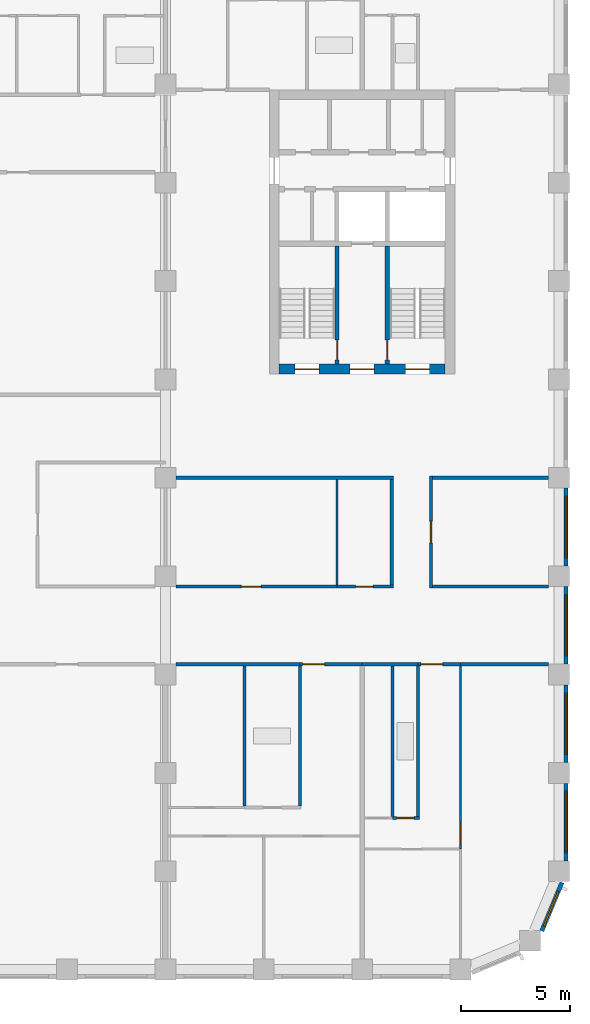
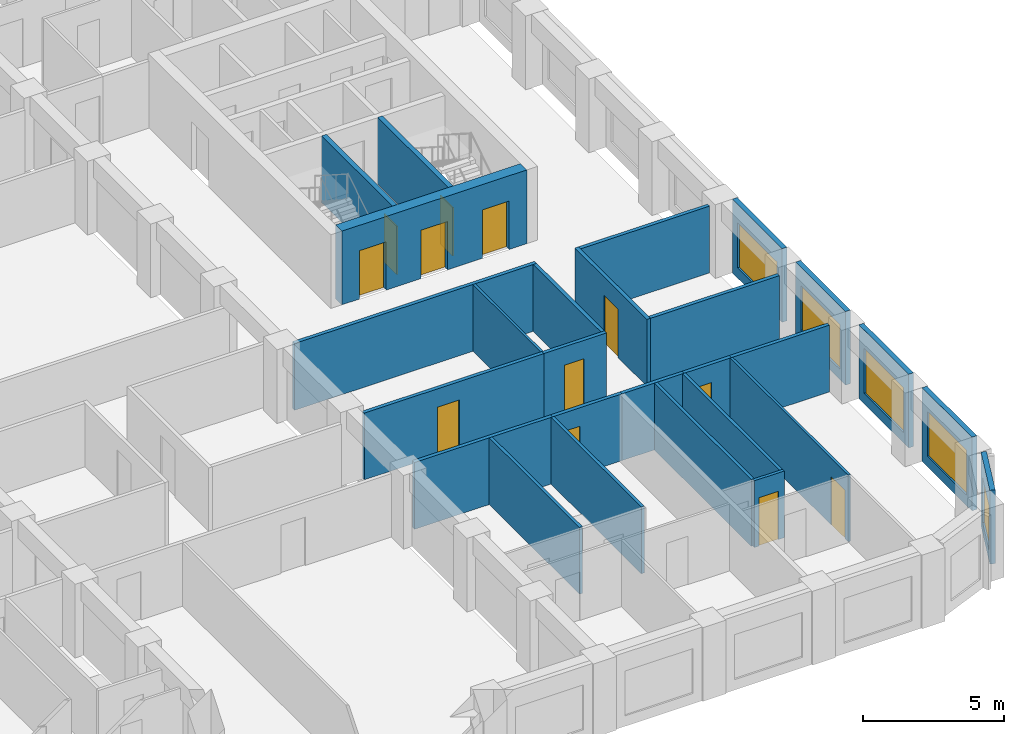
# One storey, part 5 of 13: 27 walls, 12 doors, 5 windows, 17 openings.
"""IFC4 building model written with IfcOpenShell, lengths in metres."""

from ifc_helpers import new_model, si_unit, direction, frame, frame_2d, origin, place, context, subcontext, project, spatial, rectangle, extrude, material, layer, layer_set, type_object, element, fill, save


model = new_model("IFC4")

# Units and contexts
model_context = context("Model", 3, precision=1e-05, world=origin(), true_north=direction((0.0, 1.0)))
body_context = subcontext(model_context, "Body", "Model", "MODEL_VIEW")
ifc_project = project(units=[si_unit("LENGTHUNIT", "METRE"), si_unit("AREAUNIT", "SQUARE_METRE"), si_unit("VOLUMEUNIT", "CUBIC_METRE"), si_unit("PLANEANGLEUNIT", "RADIAN"), si_unit("MASSUNIT", "GRAM", prefix="KILO")], contexts=[model_context])

# Site, building, storey
site_placement = place(None, origin())
site = spatial("IfcSite", under=ifc_project, at=site_placement, CompositionType="ELEMENT")
building_placement = place(site_placement, origin())
building = spatial("IfcBuilding", under=site, at=building_placement, Name="Girih Gate Residences", CompositionType="ELEMENT")
storey_placement = place(building_placement, frame((0.0, 0.0, 133.39990234375)))
storey = spatial("IfcBuildingStorey", under=building, at=storey_placement, Name="L37", CompositionType="ELEMENT", Elevation=133.39990234375)

# Wall, opening, door
ifc_material_1 = material(Name="Gypsum board on steel studs", Category="steel")
ifc_layer_1 = layer(ifc_material_1, 0.14990234375)
ifc_layer_set_1 = layer_set([ifc_layer_1], Name="Compartment wall 150 mm")
wall_type_1 = type_object("IfcWallType", Name="Compartment wall 150 mm", PredefinedType="PARTITIONING", material=ifc_layer_set_1)
wall_1_placement = place(storey_placement, frame((45.0, 13.97509765625, 0.0), z_axis=(0.0, 0.0, 1.0), x_axis=(-1.0, 0.0, 0.0)))
wall_1 = element("IfcWall", 1, at=wall_1_placement, inside=storey, type_object=wall_type_1, Name="L37 partition", PredefinedType="PARTITIONING", context=body_context, shape_type="SweptSolid", body=[
    extrude(rectangle(XDim=1.949951171875, YDim=0.14990234375, at=frame_2d((0.97509765625, 0.0))), origin(), (0.0, 0.0, 1.0), 2.900146484375),
])
opening_1_placement = place(wall_1_placement, frame((0.820068359375, 0.0, 0.0)))
opening_1 = element("IfcOpeningElement", 2, at=opening_1_placement, cuts=wall_1, Name="Opening A37-021", PredefinedType="OPENING", context=body_context, shape_type="SweptSolid", body=[
    extrude(rectangle(XDim=1.0, YDim=2.10009765625, at=frame_2d((0.5, 1.050048828125))), frame((0.0, 0.0849609375, 0.0), z_axis=(0.0, -1.0, 0.0), x_axis=(1.0, 0.0, 0.0)), (0.0, 0.0, 1.0), 0.169921875),
])
ifc_material_2 = material(Name="Timber, fire-rated core", Category="wood")
door_type_1 = type_object("IfcDoorType", Name="Flat entrance door 1000x2100 FD30S", OperationType="NOTDEFINED", PredefinedType="DOOR", material=ifc_material_2)
door_1_placement = place(opening_1_placement, origin())
door_1 = element("IfcDoor", 3, at=door_1_placement, inside=storey, type_object=door_type_1, Name="Door A37-021", OperationType="SINGLE_SWING_RIGHT", OverallHeight=2.10009765625, OverallWidth=1.0, PredefinedType="DOOR", context=body_context, shape_type="SweptSolid", body=[
    extrude(rectangle(XDim=1.0, YDim=2.10009765625, at=frame_2d((0.5, 1.050048828125))), frame((0.0, 0.02490234375, 0.0), z_axis=(0.0, -1.0, 0.0), x_axis=(1.0, 0.0, 0.0)), (0.0, 0.0, 1.0), 0.050048828125),
])
fill(opening_1, door_1)

# Walls
wall_2_placement = place(storey_placement, frame((40.5, 13.97509765625, 0.0), z_axis=(0.0, 0.0, 1.0), x_axis=(1.0, 0.0, 0.0)))
element("IfcWall", 4, at=wall_2_placement, inside=storey, type_object=wall_type_1, Name="L37 partition", PredefinedType="PARTITIONING", context=body_context, shape_type="SweptSolid", body=[
    extrude(rectangle(XDim=2.550048828125, YDim=0.14990234375, at=frame_2d((1.27490234375, 0.0))), origin(), (0.0, 0.0, 1.0), 2.900146484375),
])
wall_3_placement = place(storey_placement, frame((45.0, 13.97509765625, 0.0), z_axis=(0.0, 0.0, 1.0), x_axis=(1.0, 0.0, 0.0)))
element("IfcWall", 5, at=wall_3_placement, inside=storey, type_object=wall_type_1, Name="L37 partition", PredefinedType="PARTITIONING", context=body_context, shape_type="SweptSolid", body=[
    extrude(rectangle(XDim=4.02490234375, YDim=0.14990234375, at=frame_2d((2.012451171875, 0.0))), origin(), (0.0, 0.0, 1.0), 2.900146484375),
])

# Wall, opening, door
wall_4_placement = place(storey_placement, frame((40.5, 13.97509765625, 0.0), z_axis=(0.0, 0.0, 1.0), x_axis=(-1.0, 0.0, 0.0)))
wall_4 = element("IfcWall", 6, at=wall_4_placement, inside=storey, type_object=wall_type_1, Name="L37 partition", PredefinedType="PARTITIONING", context=body_context, shape_type="SweptSolid", body=[
    extrude(rectangle(XDim=2.85009765625, YDim=0.14990234375, at=frame_2d((1.425048828125, 0.0))), origin(), (0.0, 0.0, 1.0), 2.900146484375),
])
opening_2_placement = place(wall_4_placement, frame((1.719970703125, 0.0, 0.0)))
opening_2 = element("IfcOpeningElement", 7, at=opening_2_placement, cuts=wall_4, Name="Opening A37-026", PredefinedType="OPENING", context=body_context, shape_type="SweptSolid", body=[
    extrude(rectangle(XDim=1.0, YDim=2.10009765625, at=frame_2d((0.5, 1.050048828125))), frame((0.0, 0.0849609375, 0.0), z_axis=(0.0, -1.0, 0.0), x_axis=(1.0, 0.0, 0.0)), (0.0, 0.0, 1.0), 0.169921875),
])
door_2_placement = place(opening_2_placement, origin())
door_2 = element("IfcDoor", 8, at=door_2_placement, inside=storey, type_object=door_type_1, Name="Door A37-026", OperationType="SINGLE_SWING_RIGHT", OverallHeight=2.10009765625, OverallWidth=1.0, PredefinedType="DOOR", context=body_context, shape_type="SweptSolid", body=[
    extrude(rectangle(XDim=1.0, YDim=2.10009765625, at=frame_2d((0.5, 1.050048828125))), frame((0.0, 0.02490234375, 0.0), z_axis=(0.0, -1.0, 0.0), x_axis=(1.0, 0.0, 0.0)), (0.0, 0.0, 1.0), 0.050048828125),
])
fill(opening_2, door_2)

# Wall
wall_5_placement = place(storey_placement, frame((31.97509765625, 13.97509765625, 0.0), z_axis=(0.0, 0.0, 1.0), x_axis=(1.0, 0.0, 0.0)))
element("IfcWall", 9, at=wall_5_placement, inside=storey, type_object=wall_type_1, Name="L37 partition", PredefinedType="PARTITIONING", context=body_context, shape_type="SweptSolid", body=[
    extrude(rectangle(XDim=5.6748046875, YDim=0.14990234375, at=frame_2d((2.83740234375, 0.0))), origin(), (0.0, 0.0, 1.0), 2.900146484375),
])

# Wall, opening, door
wall_6_placement = place(storey_placement, frame((31.97509765625, 17.52490234375, 0.0), z_axis=(0.0, 0.0, 1.0), x_axis=(1.0, 0.0, 0.0)))
wall_6 = element("IfcWall", 10, at=wall_6_placement, inside=storey, type_object=wall_type_1, Name="L37 partition", PredefinedType="PARTITIONING", context=body_context, shape_type="SweptSolid", body=[
    extrude(rectangle(XDim=7.375, YDim=0.14990234375, at=frame_2d((3.6875, 0.0))), origin(), (0.0, 0.0, 1.0), 2.900146484375),
])
opening_3_placement = place(wall_6_placement, frame((3.0, 0.0, 0.0)))
opening_3 = element("IfcOpeningElement", 11, at=opening_3_placement, cuts=wall_6, Name="Opening A37-053", PredefinedType="OPENING", context=body_context, shape_type="SweptSolid", body=[
    extrude(rectangle(XDim=0.89990234375, YDim=2.10009765625, at=frame_2d((0.449951171875, 1.050048828125))), frame((0.0, 0.0849609375, 0.0), z_axis=(0.0, -1.0, 0.0), x_axis=(1.0, 0.0, 0.0)), (0.0, 0.0, 1.0), 0.169921875),
])
ifc_material_3 = material(Name="Timber", Category="wood")
door_type_2 = type_object("IfcDoorType", Name="Service room door 900x2100", OperationType="NOTDEFINED", PredefinedType="DOOR", material=ifc_material_3)
door_3_placement = place(opening_3_placement, origin())
door_3 = element("IfcDoor", 12, at=door_3_placement, inside=storey, type_object=door_type_2, Name="Door A37-053", OperationType="SINGLE_SWING_LEFT", OverallHeight=2.10009765625, OverallWidth=0.89990234375, PredefinedType="DOOR", context=body_context, shape_type="SweptSolid", body=[
    extrude(rectangle(XDim=0.89990234375, YDim=2.10009765625, at=frame_2d((0.449951171875, 1.050048828125))), frame((0.0, 0.02490234375, 0.0), z_axis=(0.0, -1.0, 0.0), x_axis=(1.0, 0.0, 0.0)), (0.0, 0.0, 1.0), 0.050048828125),
])
fill(opening_3, door_3)

wall_7_placement = place(storey_placement, frame((39.35009765625, 17.52490234375, 0.0), z_axis=(0.0, 0.0, 1.0), x_axis=(1.0, 0.0, 0.0)))
wall_7 = element("IfcWall", 13, at=wall_7_placement, inside=storey, type_object=wall_type_1, Name="L37 partition", PredefinedType="PARTITIONING", context=body_context, shape_type="SweptSolid", body=[
    extrude(rectangle(XDim=2.574951171875, YDim=0.14990234375, at=frame_2d((1.28759765625, 0.0))), origin(), (0.0, 0.0, 1.0), 2.900146484375),
])
opening_4_placement = place(wall_7_placement, frame((0.85009765625, 0.0, 0.0)))
opening_4 = element("IfcOpeningElement", 14, at=opening_4_placement, cuts=wall_7, Name="Opening A37-055", PredefinedType="OPENING", context=body_context, shape_type="SweptSolid", body=[
    extrude(rectangle(XDim=0.800048828125, YDim=2.10009765625, at=frame_2d((0.39990234375, 1.050048828125))), frame((0.0, 0.0849609375, 0.0), z_axis=(0.0, -1.0, 0.0), x_axis=(1.0, 0.0, 0.0)), (0.0, 0.0, 1.0), 0.169921875),
])
door_type_3 = type_object("IfcDoorType", Name="Bathroom door 800x2100", OperationType="NOTDEFINED", PredefinedType="DOOR", material=ifc_material_3)
door_4_placement = place(opening_4_placement, origin())
door_4 = element("IfcDoor", 15, at=door_4_placement, inside=storey, type_object=door_type_3, Name="Door A37-055", OperationType="SINGLE_SWING_LEFT", OverallHeight=2.10009765625, OverallWidth=0.800048828125, PredefinedType="DOOR", context=body_context, shape_type="SweptSolid", body=[
    extrude(rectangle(XDim=0.800048828125, YDim=2.10009765625, at=frame_2d((0.39990234375, 1.050048828125))), frame((0.0, 0.02490234375, 0.0), z_axis=(0.0, -1.0, 0.0), x_axis=(1.0, 0.0, 0.0)), (0.0, 0.0, 1.0), 0.050048828125),
])
fill(opening_4, door_4)

# Walls
wall_8_placement = place(storey_placement, frame((43.72509765625, 17.52490234375, 0.0), z_axis=(0.0, 0.0, 1.0), x_axis=(1.0, 0.0, 0.0)))
element("IfcWall", 16, at=wall_8_placement, inside=storey, type_object=wall_type_1, Name="L37 partition", PredefinedType="PARTITIONING", context=body_context, shape_type="SweptSolid", body=[
    extrude(rectangle(XDim=5.2998046875, YDim=0.14990234375, at=frame_2d((2.64990234375, 0.0))), origin(), (0.0, 0.0, 1.0), 2.900146484375),
])
wall_9_placement = place(storey_placement, frame((31.97509765625, 22.5, 0.0), z_axis=(0.0, 0.0, 1.0), x_axis=(1.0, 0.0, 0.0)))
element("IfcWall", 17, at=wall_9_placement, inside=storey, type_object=wall_type_1, Name="L37 partition", PredefinedType="PARTITIONING", context=body_context, shape_type="SweptSolid", body=[
    extrude(rectangle(XDim=9.949951171875, YDim=0.14990234375, at=frame_2d((4.97509765625, 0.0))), origin(), (0.0, 0.0, 1.0), 2.900146484375),
])
wall_10_placement = place(storey_placement, frame((43.72509765625, 22.5, 0.0), z_axis=(0.0, 0.0, 1.0), x_axis=(1.0, 0.0, 0.0)))
element("IfcWall", 18, at=wall_10_placement, inside=storey, type_object=wall_type_1, Name="L37 partition", PredefinedType="PARTITIONING", context=body_context, shape_type="SweptSolid", body=[
    extrude(rectangle(XDim=5.2998046875, YDim=0.14990234375, at=frame_2d((2.64990234375, 0.0))), origin(), (0.0, 0.0, 1.0), 2.900146484375),
])
wall_11_placement = place(storey_placement, frame((41.85009765625, 17.60009765625, 0.0), z_axis=(0.0, 0.0, 1.0), x_axis=(0.0, 1.0, 0.0)))
element("IfcWall", 19, at=wall_11_placement, inside=storey, type_object=wall_type_1, Name="L37 partition", PredefinedType="PARTITIONING", context=body_context, shape_type="SweptSolid", body=[
    extrude(rectangle(XDim=4.824951171875, YDim=0.14990234375, at=frame_2d((2.41259765625, 0.0))), origin(), (0.0, 0.0, 1.0), 2.900146484375),
])

# Wall, opening, door
wall_12_placement = place(storey_placement, frame((43.64990234375, 22.574951171875, 0.0), z_axis=(0.0, 0.0, 1.0), x_axis=(0.0, -1.0, 0.0)))
wall_12 = element("IfcWall", 20, at=wall_12_placement, inside=storey, type_object=wall_type_1, Name="L37 partition", PredefinedType="PARTITIONING", context=body_context, shape_type="SweptSolid", body=[
    extrude(rectangle(XDim=5.125, YDim=0.14990234375, at=frame_2d((2.5625, 0.0))), origin(), (0.0, 0.0, 1.0), 2.900146484375),
])
opening_5_placement = place(wall_12_placement, frame((2.0625, 0.0, 0.0)))
opening_5 = element("IfcOpeningElement", 21, at=opening_5_placement, cuts=wall_12, Name="Opening A37-057", PredefinedType="OPENING", context=body_context, shape_type="SweptSolid", body=[
    extrude(rectangle(XDim=1.0, YDim=2.10009765625, at=frame_2d((0.5, 1.050048828125))), frame((0.0, 0.0849609375, 0.0), z_axis=(0.0, -1.0, 0.0), x_axis=(1.0, 0.0, 0.0)), (0.0, 0.0, 1.0), 0.169921875),
])
door_type_4 = type_object("IfcDoorType", Name="Amenity room door 1000x2100 FD30S", OperationType="NOTDEFINED", PredefinedType="DOOR", material=ifc_material_2)
door_5_placement = place(opening_5_placement, origin())
door_5 = element("IfcDoor", 22, at=door_5_placement, inside=storey, type_object=door_type_4, Name="Door A37-057", OperationType="SINGLE_SWING_RIGHT", OverallHeight=2.10009765625, OverallWidth=1.0, PredefinedType="DOOR", context=body_context, shape_type="SweptSolid", body=[
    extrude(rectangle(XDim=1.0, YDim=2.10009765625, at=frame_2d((0.5, 1.050048828125))), frame((0.0, 0.02490234375, 0.0), z_axis=(0.0, -1.0, 0.0), x_axis=(1.0, 0.0, 0.0)), (0.0, 0.0, 1.0), 0.050048828125),
])
fill(opening_5, door_5)

# Wall, openings, doors
ifc_material_4 = material(Name="Concrete C60/75", Category="concrete")
ifc_layer_2 = layer(ifc_material_4, 0.449951171875)
ifc_layer_set_2 = layer_set([ifc_layer_2], Name="Core wall RC 450 Concrete C60/75")
wall_type_2 = type_object("IfcWallType", Name="Core wall RC 450 Concrete C60/75", PredefinedType="SOLIDWALL", material=ifc_layer_set_2)
wall_13_placement = place(storey_placement, frame((36.699951171875, 27.47509765625, 0.0), z_axis=(0.0, 0.0, 1.0), x_axis=(1.0, 0.0, 0.0)))
wall_13 = element("IfcWall", 23, at=wall_13_placement, inside=storey, type_object=wall_type_2, Name="Core wall E-S L37", PredefinedType="SOLIDWALL", context=body_context, shape_type="SweptSolid", body=[
    extrude(rectangle(XDim=7.60009765625, YDim=0.449951171875, at=frame_2d((3.800048828125, 0.0))), origin(), (0.0, 0.0, 1.0), 3.2001953125),
])
opening_6_placement = place(wall_13_placement, frame((5.77490234375, 0.0, 0.0)))
opening_6 = element("IfcOpeningElement", 24, at=opening_6_placement, cuts=wall_13, Name="Opening D-L37-E-011", PredefinedType="OPENING", context=body_context, shape_type="SweptSolid", body=[
    extrude(rectangle(XDim=1.10009765625, YDim=2.10009765625, at=frame_2d((0.550048828125, 1.050048828125))), frame((0.0, 0.23486328125, 0.0), z_axis=(0.0, -1.0, 0.0), x_axis=(1.0, 0.0, 0.0)), (0.0, 0.0, 1.0), 0.469970703125),
])
opening_7_placement = place(wall_13_placement, frame((3.25, 0.0, 0.0)))
opening_7 = element("IfcOpeningElement", 25, at=opening_7_placement, cuts=wall_13, Name="Opening D-L37-E-012", PredefinedType="OPENING", context=body_context, shape_type="SweptSolid", body=[
    extrude(rectangle(XDim=1.10009765625, YDim=2.10009765625, at=frame_2d((0.550048828125, 1.050048828125))), frame((0.0, 0.23486328125, 0.0), z_axis=(0.0, -1.0, 0.0), x_axis=(1.0, 0.0, 0.0)), (0.0, 0.0, 1.0), 0.469970703125),
])
opening_8_placement = place(wall_13_placement, frame((0.72509765625, 0.0, 0.0)))
opening_8 = element("IfcOpeningElement", 26, at=opening_8_placement, cuts=wall_13, Name="Opening D-L37-E-013", PredefinedType="OPENING", context=body_context, shape_type="SweptSolid", body=[
    extrude(rectangle(XDim=1.10009765625, YDim=2.10009765625, at=frame_2d((0.550048828125, 1.050048828125))), frame((0.0, 0.23486328125, 0.0), z_axis=(0.0, -1.0, 0.0), x_axis=(1.0, 0.0, 0.0)), (0.0, 0.0, 1.0), 0.469970703125),
])
ifc_material_5 = material(Name="Painted steel, fire-resisting", Category="steel")
door_type_5 = type_object("IfcDoorType", Name="Fire door 1100x2100", OperationType="SINGLE_SWING_LEFT", PredefinedType="DOOR", material=ifc_material_5)
door_6_placement = place(opening_6_placement, origin())
door_6 = element("IfcDoor", 27, at=door_6_placement, inside=storey, type_object=door_type_5, Name="L37 E core door sta-out", OperationType="SINGLE_SWING_LEFT", OverallHeight=2.10009765625, OverallWidth=1.10009765625, PredefinedType="DOOR", context=body_context, shape_type="SweptSolid", body=[
    extrude(rectangle(XDim=1.10009765625, YDim=2.10009765625, at=frame_2d((0.550048828125, 1.050048828125))), frame((0.0, 0.02490234375, 0.0), z_axis=(0.0, -1.0, 0.0), x_axis=(1.0, 0.0, 0.0)), (0.0, 0.0, 1.0), 0.050048828125),
])
fill(opening_6, door_6)
door_7_placement = place(opening_7_placement, origin())
door_7 = element("IfcDoor", 28, at=door_7_placement, inside=storey, type_object=door_type_5, Name="L37 E core door ffl-out", OperationType="SINGLE_SWING_LEFT", OverallHeight=2.10009765625, OverallWidth=1.10009765625, PredefinedType="DOOR", context=body_context, shape_type="SweptSolid", body=[
    extrude(rectangle(XDim=1.10009765625, YDim=2.10009765625, at=frame_2d((0.550048828125, 1.050048828125))), frame((0.0, 0.02490234375, 0.0), z_axis=(0.0, -1.0, 0.0), x_axis=(1.0, 0.0, 0.0)), (0.0, 0.0, 1.0), 0.050048828125),
])
fill(opening_7, door_7)
door_8_placement = place(opening_8_placement, origin())
door_8 = element("IfcDoor", 29, at=door_8_placement, inside=storey, type_object=door_type_5, Name="L37 E core door stb-out", OperationType="SINGLE_SWING_LEFT", OverallHeight=2.10009765625, OverallWidth=1.10009765625, PredefinedType="DOOR", context=body_context, shape_type="SweptSolid", body=[
    extrude(rectangle(XDim=1.10009765625, YDim=2.10009765625, at=frame_2d((0.550048828125, 1.050048828125))), frame((0.0, 0.02490234375, 0.0), z_axis=(0.0, -1.0, 0.0), x_axis=(1.0, 0.0, 0.0)), (0.0, 0.0, 1.0), 0.050048828125),
])
fill(opening_8, door_8)

# Wall, opening, door
ifc_layer_3 = layer(ifc_material_1, 0.10009765625)
ifc_layer_set_3 = layer_set([ifc_layer_3], Name="Partition 100 mm")
wall_type_3 = type_object("IfcWallType", Name="Partition 100 mm", PredefinedType="PARTITIONING", material=ifc_layer_set_3)
wall_14_placement = place(storey_placement, frame((45.0, 13.89990234375, 0.0), z_axis=(0.0, 0.0, 1.0), x_axis=(0.0, -1.0, 0.0)))
wall_14 = element("IfcWall", 30, at=wall_14_placement, inside=storey, type_object=wall_type_3, Name="L37 partition", PredefinedType="PARTITIONING", context=body_context, shape_type="SweptSolid", body=[
    extrude(rectangle(XDim=8.385009765625, YDim=0.10009765625, at=frame_2d((4.1923828125, 0.0))), origin(), (0.0, 0.0, 1.0), 2.900146484375),
])
opening_9_placement = place(wall_14_placement, frame((7.175048828125, 0.0, 0.0)))
opening_9 = element("IfcOpeningElement", 31, at=opening_9_placement, cuts=wall_14, Name="Opening A37-020", PredefinedType="OPENING", context=body_context, shape_type="SweptSolid", body=[
    extrude(rectangle(XDim=1.0, YDim=2.10009765625, at=frame_2d((0.5, 1.050048828125))), frame((0.0, 0.06005859375, 0.0), z_axis=(0.0, -1.0, 0.0), x_axis=(1.0, 0.0, 0.0)), (0.0, 0.0, 1.0), 0.1201171875),
])
door_type_6 = type_object("IfcDoorType", Name="Living room door 1000x2100", OperationType="NOTDEFINED", PredefinedType="DOOR", material=ifc_material_3)
door_9_placement = place(opening_9_placement, origin())
door_9 = element("IfcDoor", 32, at=door_9_placement, inside=storey, type_object=door_type_6, Name="Door A37-020", OperationType="SINGLE_SWING_RIGHT", OverallHeight=2.10009765625, OverallWidth=1.0, PredefinedType="DOOR", context=body_context, shape_type="SweptSolid", body=[
    extrude(rectangle(XDim=1.0, YDim=2.10009765625, at=frame_2d((0.5, 1.050048828125))), frame((0.0, 0.02490234375, 0.0), z_axis=(0.0, -1.0, 0.0), x_axis=(1.0, 0.0, 0.0)), (0.0, 0.0, 1.0), 0.050048828125),
])
fill(opening_9, door_9)

# Wall
wall_15_placement = place(storey_placement, frame((39.35009765625, 17.60009765625, 0.0), z_axis=(0.0, 0.0, 1.0), x_axis=(0.0, 1.0, 0.0)))
element("IfcWall", 33, at=wall_15_placement, inside=storey, type_object=wall_type_3, Name="L37 partition", PredefinedType="PARTITIONING", context=body_context, shape_type="SweptSolid", body=[
    extrude(rectangle(XDim=4.824951171875, YDim=0.10009765625, at=frame_2d((2.41259765625, 0.0))), origin(), (0.0, 0.0, 1.0), 2.900146484375),
])

# Wall, opening, window
ifc_material_6 = material(Name="Precast concrete C50/60", Category="concrete")
ifc_layer_4 = layer(ifc_material_6, 0.06005859375, Name="Outer leaf")
ifc_material_7 = material(Name="Rigid PIR insulation")
ifc_layer_5 = layer(ifc_material_7, 0.090087890625, Name="Insulation")
ifc_material_8 = material(Name="Precast concrete C40/50", Category="concrete")
ifc_layer_6 = layer(ifc_material_8, 0.050048828125, Name="Inner leaf")
ifc_layer_set_4 = layer_set([ifc_layer_4, ifc_layer_5, ifc_layer_6], Name="Precast concrete C50/60 external wall 200")
wall_type_4 = type_object("IfcWallType", Name="Precast concrete C50/60 external wall 200", PredefinedType="SOLIDWALL", material=ifc_layer_set_4)
wall_16_placement = place(storey_placement, frame((49.63916015625, 3.98681640625, 0.0), z_axis=(0.0, 0.0, 1.0), x_axis=(-0.382680855588, -0.923880599843, 0.0)))
wall_16 = element("IfcWall", 34, at=wall_16_placement, inside=storey, type_object=wall_type_4, Name="External wall SE0482_0013.0", PredefinedType="SOLIDWALL", context=body_context, shape_type="SweptSolid", body=[
    extrude(rectangle(XDim=2.402587890625, YDim=0.199951171875, at=frame_2d((1.201171875, 0.0))), origin(), (0.0, 0.0, 1.0), 3.2001953125),
])
opening_10_placement = place(wall_16_placement, frame((0.451171875, 0.0, 0.449951171875)))
opening_10 = element("IfcOpeningElement", 35, at=opening_10_placement, cuts=wall_16, Name="Opening W-2E", PredefinedType="OPENING", context=body_context, shape_type="SweptSolid", body=[
    extrude(rectangle(XDim=1.699951171875, YDim=1.949951171875, at=frame_2d((0.85009765625, 0.97509765625))), frame((0.0, 0.10986328125, 0.0), z_axis=(0.0, -1.0, 0.0), x_axis=(1.0, 0.0, 0.0)), (0.0, 0.0, 1.0), 0.219970703125),
])
ifc_material_9 = material(Name="Double glazing in aluminium frame", Category="aluminium")
window_type_1 = type_object("IfcWindowType", Name="Window W-2E 1700x1950", PartitioningType="SINGLE_PANEL", PredefinedType="WINDOW", material=ifc_material_9)
window_1_placement = place(opening_10_placement, origin())
window_1 = element("IfcWindow", 36, at=window_1_placement, inside=storey, type_object=window_type_1, Name="Window W-2E SE0482_0013.0", OverallHeight=1.949951171875, OverallWidth=1.699951171875, PartitioningType="SINGLE_PANEL", PredefinedType="WINDOW", context=body_context, shape_type="SweptSolid", body=[
    extrude(rectangle(XDim=1.699951171875, YDim=1.949951171875, at=frame_2d((0.85009765625, 0.97509765625))), frame((0.0, 0.030029296875, 0.0), z_axis=(0.0, -1.0, 0.0), x_axis=(1.0, 0.0, 0.0)), (0.0, 0.0, 1.0), 0.06005859375),
])
fill(opening_10, window_1)

wall_17_placement = place(storey_placement, frame((49.824951171875, 8.52490234375, 0.0), z_axis=(0.0, 0.0, 1.0), x_axis=(0.0, -1.0, 0.0)))
wall_17 = element("IfcWall", 37, at=wall_17_placement, inside=storey, type_object=wall_type_4, Name="External wall E0495_0045.0", PredefinedType="SOLIDWALL", context=body_context, shape_type="SweptSolid", body=[
    extrude(rectangle(XDim=3.5498046875, YDim=0.199951171875, at=frame_2d((1.77490234375, 0.0))), origin(), (0.0, 0.0, 1.0), 3.2001953125),
])
opening_11_placement = place(wall_17_placement, frame((0.375, 0.0, 0.449951171875)))
opening_11 = element("IfcOpeningElement", 38, at=opening_11_placement, cuts=wall_17, Name="Opening W-1B", PredefinedType="OPENING", context=body_context, shape_type="SweptSolid", body=[
    extrude(rectangle(XDim=2.800048828125, YDim=1.949951171875, at=frame_2d((1.39990234375, 0.97509765625))), frame((0.0, 0.10986328125, 0.0), z_axis=(0.0, -1.0, 0.0), x_axis=(1.0, 0.0, 0.0)), (0.0, 0.0, 1.0), 0.219970703125),
])
window_type_2 = type_object("IfcWindowType", Name="Window W-1B 2800x1950", PartitioningType="SINGLE_PANEL", PredefinedType="WINDOW", material=ifc_material_9)
window_2_placement = place(opening_11_placement, origin())
window_2 = element("IfcWindow", 39, at=window_2_placement, inside=storey, type_object=window_type_2, Name="Window W-1B E0495_0045.0", OverallHeight=1.949951171875, OverallWidth=2.800048828125, PartitioningType="SINGLE_PANEL", PredefinedType="WINDOW", context=body_context, shape_type="SweptSolid", body=[
    extrude(rectangle(XDim=2.800048828125, YDim=1.949951171875, at=frame_2d((1.39990234375, 0.97509765625))), frame((0.0, 0.030029296875, 0.0), z_axis=(0.0, -1.0, 0.0), x_axis=(1.0, 0.0, 0.0)), (0.0, 0.0, 1.0), 0.06005859375),
])
fill(opening_11, window_2)

wall_18_placement = place(storey_placement, frame((49.824951171875, 13.02490234375, 0.0), z_axis=(0.0, 0.0, 1.0), x_axis=(0.0, -1.0, 0.0)))
wall_18 = element("IfcWall", 40, at=wall_18_placement, inside=storey, type_object=wall_type_4, Name="External wall E0495_0045.1", PredefinedType="SOLIDWALL", context=body_context, shape_type="SweptSolid", body=[
    extrude(rectangle(XDim=3.5498046875, YDim=0.199951171875, at=frame_2d((1.77490234375, 0.0))), origin(), (0.0, 0.0, 1.0), 3.2001953125),
])
opening_12_placement = place(wall_18_placement, frame((0.375, 0.0, 0.449951171875)))
opening_12 = element("IfcOpeningElement", 41, at=opening_12_placement, cuts=wall_18, Name="Opening W-1B", PredefinedType="OPENING", context=body_context, shape_type="SweptSolid", body=[
    extrude(rectangle(XDim=2.800048828125, YDim=1.949951171875, at=frame_2d((1.39990234375, 0.97509765625))), frame((0.0, 0.10986328125, 0.0), z_axis=(0.0, -1.0, 0.0), x_axis=(1.0, 0.0, 0.0)), (0.0, 0.0, 1.0), 0.219970703125),
])
window_3_placement = place(opening_12_placement, origin())
window_3 = element("IfcWindow", 42, at=window_3_placement, inside=storey, type_object=window_type_2, Name="Window W-1B E0495_0045.1", OverallHeight=1.949951171875, OverallWidth=2.800048828125, PartitioningType="SINGLE_PANEL", PredefinedType="WINDOW", context=body_context, shape_type="SweptSolid", body=[
    extrude(rectangle(XDim=2.800048828125, YDim=1.949951171875, at=frame_2d((1.39990234375, 0.97509765625))), frame((0.0, 0.030029296875, 0.0), z_axis=(0.0, -1.0, 0.0), x_axis=(1.0, 0.0, 0.0)), (0.0, 0.0, 1.0), 0.06005859375),
])
fill(opening_12, window_3)

wall_19_placement = place(storey_placement, frame((49.824951171875, 17.52490234375, 0.0), z_axis=(0.0, 0.0, 1.0), x_axis=(0.0, -1.0, 0.0)))
wall_19 = element("IfcWall", 43, at=wall_19_placement, inside=storey, type_object=wall_type_4, Name="External wall E0495_0045.2", PredefinedType="SOLIDWALL", context=body_context, shape_type="SweptSolid", body=[
    extrude(rectangle(XDim=3.5498046875, YDim=0.199951171875, at=frame_2d((1.77490234375, 0.0))), origin(), (0.0, 0.0, 1.0), 3.2001953125),
])
opening_13_placement = place(wall_19_placement, frame((0.375, 0.0, 0.449951171875)))
opening_13 = element("IfcOpeningElement", 44, at=opening_13_placement, cuts=wall_19, Name="Opening W-1B", PredefinedType="OPENING", context=body_context, shape_type="SweptSolid", body=[
    extrude(rectangle(XDim=2.800048828125, YDim=1.949951171875, at=frame_2d((1.39990234375, 0.97509765625))), frame((0.0, 0.10986328125, 0.0), z_axis=(0.0, -1.0, 0.0), x_axis=(1.0, 0.0, 0.0)), (0.0, 0.0, 1.0), 0.219970703125),
])
window_4_placement = place(opening_13_placement, origin())
window_4 = element("IfcWindow", 45, at=window_4_placement, inside=storey, type_object=window_type_2, Name="Window W-1B E0495_0045.2", OverallHeight=1.949951171875, OverallWidth=2.800048828125, PartitioningType="SINGLE_PANEL", PredefinedType="WINDOW", context=body_context, shape_type="SweptSolid", body=[
    extrude(rectangle(XDim=2.800048828125, YDim=1.949951171875, at=frame_2d((1.39990234375, 0.97509765625))), frame((0.0, 0.030029296875, 0.0), z_axis=(0.0, -1.0, 0.0), x_axis=(1.0, 0.0, 0.0)), (0.0, 0.0, 1.0), 0.06005859375),
])
fill(opening_13, window_4)

wall_20_placement = place(storey_placement, frame((49.824951171875, 22.02490234375, 0.0), z_axis=(0.0, 0.0, 1.0), x_axis=(0.0, -1.0, 0.0)))
wall_20 = element("IfcWall", 46, at=wall_20_placement, inside=storey, type_object=wall_type_4, Name="External wall E0495_0045.3", PredefinedType="SOLIDWALL", context=body_context, shape_type="SweptSolid", body=[
    extrude(rectangle(XDim=3.5498046875, YDim=0.199951171875, at=frame_2d((1.77490234375, 0.0))), origin(), (0.0, 0.0, 1.0), 3.2001953125),
])
opening_14_placement = place(wall_20_placement, frame((0.375, 0.0, 0.449951171875)))
opening_14 = element("IfcOpeningElement", 47, at=opening_14_placement, cuts=wall_20, Name="Opening W-1B", PredefinedType="OPENING", context=body_context, shape_type="SweptSolid", body=[
    extrude(rectangle(XDim=2.800048828125, YDim=1.949951171875, at=frame_2d((1.39990234375, 0.97509765625))), frame((0.0, 0.10986328125, 0.0), z_axis=(0.0, -1.0, 0.0), x_axis=(1.0, 0.0, 0.0)), (0.0, 0.0, 1.0), 0.219970703125),
])
window_5_placement = place(opening_14_placement, origin())
window_5 = element("IfcWindow", 48, at=window_5_placement, inside=storey, type_object=window_type_2, Name="Window W-1B E0495_0045.3", OverallHeight=1.949951171875, OverallWidth=2.800048828125, PartitioningType="SINGLE_PANEL", PredefinedType="WINDOW", context=body_context, shape_type="SweptSolid", body=[
    extrude(rectangle(XDim=2.800048828125, YDim=1.949951171875, at=frame_2d((1.39990234375, 0.97509765625))), frame((0.0, 0.030029296875, 0.0), z_axis=(0.0, -1.0, 0.0), x_axis=(1.0, 0.0, 0.0)), (0.0, 0.0, 1.0), 0.06005859375),
])
fill(opening_14, window_5)

# Wall, opening, door
ifc_material_10 = material(Name="Concrete C40/50", Category="concrete")
ifc_layer_7 = layer(ifc_material_10, 0.199951171875)
ifc_layer_set_5 = layer_set([ifc_layer_7], Name="Shaft wall 200")
wall_type_5 = type_object("IfcWallType", Name="Shaft wall 200", PredefinedType="SOLIDWALL", material=ifc_layer_set_5)
wall_21_placement = place(storey_placement, frame((41.64990234375, 27.699951171875, 0.0), z_axis=(0.0, 0.0, 1.0), x_axis=(0.0, 1.0, 0.0)))
wall_21 = element("IfcWall", 49, at=wall_21_placement, inside=storey, type_object=wall_type_5, Name="L37 E core wall V1a", PredefinedType="SOLIDWALL", context=body_context, shape_type="SweptSolid", body=[
    extrude(rectangle(XDim=5.400146484375, YDim=0.199951171875, at=frame_2d((2.7001953125, 0.0))), origin(), (0.0, 0.0, 1.0), 2.900146484375),
])
opening_15_placement = place(wall_21_placement, frame((0.199951171875, 0.0, 0.0)))
opening_15 = element("IfcOpeningElement", 50, at=opening_15_placement, cuts=wall_21, Name="Opening D-L37-E-001", PredefinedType="OPENING", context=body_context, shape_type="SweptSolid", body=[
    extrude(rectangle(XDim=0.89990234375, YDim=2.10009765625, at=frame_2d((0.449951171875, 1.050048828125))), frame((0.0, 0.10986328125, 0.0), z_axis=(0.0, -1.0, 0.0), x_axis=(1.0, 0.0, 0.0)), (0.0, 0.0, 1.0), 0.219970703125),
])
door_type_7 = type_object("IfcDoorType", Name="Fire door 900x2100", OperationType="SINGLE_SWING_LEFT", PredefinedType="DOOR", material=ifc_material_5)
door_10_placement = place(opening_15_placement, origin())
door_10 = element("IfcDoor", 51, at=door_10_placement, inside=storey, type_object=door_type_7, Name="L37 E door stair 1 to firefighting lobby", OperationType="SINGLE_SWING_LEFT", OverallHeight=2.10009765625, OverallWidth=0.89990234375, PredefinedType="DOOR", context=body_context, shape_type="SweptSolid", body=[
    extrude(rectangle(XDim=0.89990234375, YDim=2.10009765625, at=frame_2d((0.449951171875, 1.050048828125))), frame((0.0, 0.02490234375, 0.0), z_axis=(0.0, -1.0, 0.0), x_axis=(1.0, 0.0, 0.0)), (0.0, 0.0, 1.0), 0.050048828125),
])
fill(opening_15, door_10)

wall_22_placement = place(storey_placement, frame((39.35009765625, 27.699951171875, 0.0), z_axis=(0.0, 0.0, 1.0), x_axis=(0.0, 1.0, 0.0)))
wall_22 = element("IfcWall", 52, at=wall_22_placement, inside=storey, type_object=wall_type_5, Name="L37 E core wall V2a", PredefinedType="SOLIDWALL", context=body_context, shape_type="SweptSolid", body=[
    extrude(rectangle(XDim=5.400146484375, YDim=0.199951171875, at=frame_2d((2.7001953125, 0.0))), origin(), (0.0, 0.0, 1.0), 2.900146484375),
])
opening_16_placement = place(wall_22_placement, frame((0.199951171875, 0.0, 0.0)))
opening_16 = element("IfcOpeningElement", 53, at=opening_16_placement, cuts=wall_22, Name="Opening D-L37-E-002", PredefinedType="OPENING", context=body_context, shape_type="SweptSolid", body=[
    extrude(rectangle(XDim=0.89990234375, YDim=2.10009765625, at=frame_2d((0.449951171875, 1.050048828125))), frame((0.0, 0.10986328125, 0.0), z_axis=(0.0, -1.0, 0.0), x_axis=(1.0, 0.0, 0.0)), (0.0, 0.0, 1.0), 0.219970703125),
])
door_11_placement = place(opening_16_placement, origin())
door_11 = element("IfcDoor", 54, at=door_11_placement, inside=storey, type_object=door_type_7, Name="L37 E door stair 2 to firefighting lobby", OperationType="SINGLE_SWING_LEFT", OverallHeight=2.10009765625, OverallWidth=0.89990234375, PredefinedType="DOOR", context=body_context, shape_type="SweptSolid", body=[
    extrude(rectangle(XDim=0.89990234375, YDim=2.10009765625, at=frame_2d((0.449951171875, 1.050048828125))), frame((0.0, 0.02490234375, 0.0), z_axis=(0.0, -1.0, 0.0), x_axis=(1.0, 0.0, 0.0)), (0.0, 0.0, 1.0), 0.050048828125),
])
fill(opening_16, door_11)

# Wall
ifc_layer_8 = layer(ifc_material_1, 0.125)
ifc_layer_set_6 = layer_set([ifc_layer_8], Name="Wet room wall 125 mm")
wall_type_6 = type_object("IfcWallType", Name="Wet room wall 125 mm", PredefinedType="PARTITIONING", material=ifc_layer_set_6)
wall_23_placement = place(storey_placement, frame((43.050048828125, 6.99755859375, 0.0), z_axis=(0.0, 0.0, 1.0), x_axis=(0.0, 1.0, 0.0)))
element("IfcWall", 55, at=wall_23_placement, inside=storey, type_object=wall_type_6, Name="L37 partition", PredefinedType="PARTITIONING", context=body_context, shape_type="SweptSolid", body=[
    extrude(rectangle(XDim=6.90234375, YDim=0.125, at=frame_2d((3.451171875, 0.0))), origin(), (0.0, 0.0, 1.0), 2.900146484375),
])

# Wall, opening, door
wall_24_placement = place(storey_placement, frame((41.890869140625, 6.93505859375, 0.0), z_axis=(0.0, 0.0, 1.0), x_axis=(1.0, 0.0, 0.0)))
wall_24 = element("IfcWall", 56, at=wall_24_placement, inside=storey, type_object=wall_type_6, Name="L37 partition", PredefinedType="PARTITIONING", context=body_context, shape_type="SweptSolid", body=[
    extrude(rectangle(XDim=1.2216796875, YDim=0.125, at=frame_2d((0.61083984375, 0.0))), origin(), (0.0, 0.0, 1.0), 2.900146484375),
])
opening_17_placement = place(wall_24_placement, frame((0.179443359375, 0.0, 0.0)))
opening_17 = element("IfcOpeningElement", 57, at=opening_17_placement, cuts=wall_24, Name="Opening A37-017", PredefinedType="OPENING", context=body_context, shape_type="SweptSolid", body=[
    extrude(rectangle(XDim=0.800048828125, YDim=2.10009765625, at=frame_2d((0.39990234375, 1.050048828125))), frame((0.0, 0.072509765625, 0.0), z_axis=(0.0, -1.0, 0.0), x_axis=(1.0, 0.0, 0.0)), (0.0, 0.0, 1.0), 0.14501953125),
])
door_12_placement = place(opening_17_placement, origin())
door_12 = element("IfcDoor", 58, at=door_12_placement, inside=storey, type_object=door_type_3, Name="Door A37-017", OperationType="SINGLE_SWING_LEFT", OverallHeight=2.10009765625, OverallWidth=0.800048828125, PredefinedType="DOOR", context=body_context, shape_type="SweptSolid", body=[
    extrude(rectangle(XDim=0.800048828125, YDim=2.10009765625, at=frame_2d((0.39990234375, 1.050048828125))), frame((0.0, 0.02490234375, 0.0), z_axis=(0.0, -1.0, 0.0), x_axis=(1.0, 0.0, 0.0)), (0.0, 0.0, 1.0), 0.050048828125),
])
fill(opening_17, door_12)

# Walls
wall_25_placement = place(storey_placement, frame((41.89111328125, 6.99755859375, 0.0), z_axis=(0.0, 0.0, 1.0), x_axis=(0.0, 1.0, 0.0)))
element("IfcWall", 59, at=wall_25_placement, inside=storey, type_object=wall_type_6, Name="L37 partition", PredefinedType="PARTITIONING", context=body_context, shape_type="SweptSolid", body=[
    extrude(rectangle(XDim=6.90234375, YDim=0.125, at=frame_2d((3.451171875, 0.0))), origin(), (0.0, 0.0, 1.0), 2.900146484375),
])
for number, where, z_axis, x_axis, name in (
    (60, (37.64990234375, 7.4775390625, 0.0), (0.0, 0.0, 1.0), (0.0, 1.0, 0.0), "L37 partition"),
    (61, (35.111083984375, 7.4775390625, 0.0), (0.0, 0.0, 1.0), (0.0, 1.0, 0.0), "L37 partition"),
):
    element("IfcWall", number, at=place(storey_placement, frame(where, z_axis=z_axis, x_axis=x_axis)), inside=storey, type_object=wall_type_6, Name=name, PredefinedType="PARTITIONING", context=body_context, shape_type="SweptSolid", body=[
        extrude(rectangle(XDim=6.42236328125, YDim=0.125, at=frame_2d((3.211181640625, 0.0))), origin(), (0.0, 0.0, 1.0), 2.900146484375),
    ])

save(model, "model.ifc")
